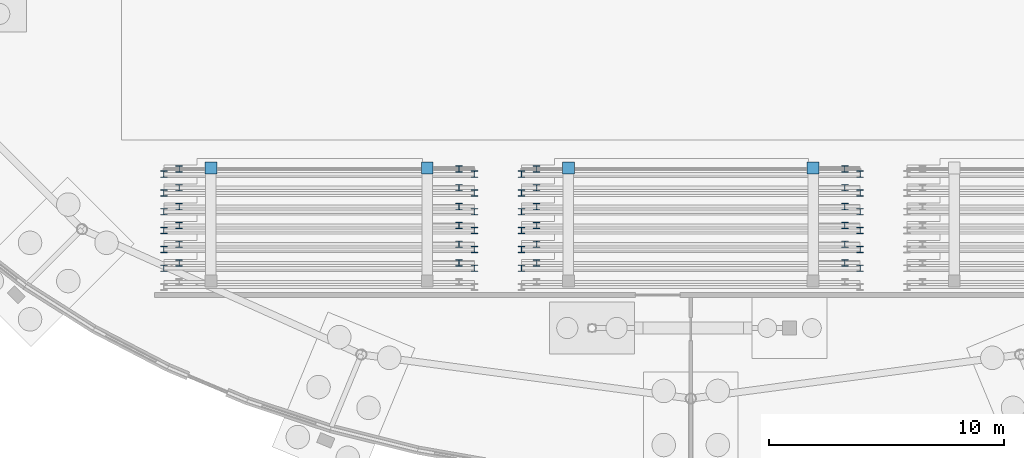
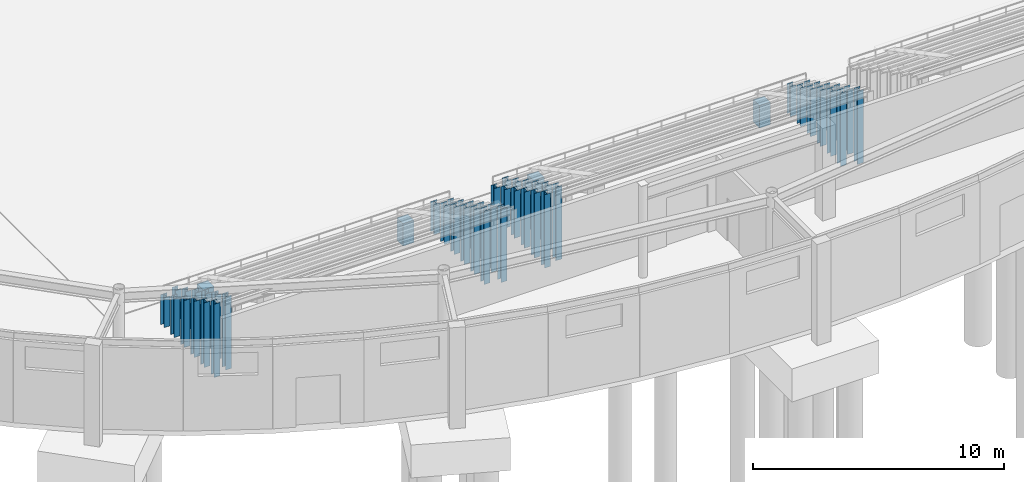
# One storey, part 12 of 93: 52 columns.
"""IFC4 building model written with IfcOpenShell, lengths in metres."""

from ifc_helpers import new_model, si_unit, derived_unit, direction, frame, origin, origin_2d, place, context, subcontext, project, spatial, rectangle, i_section, extrude, material, material_profile, profile_set, type_object, element, save


model = new_model("IFC4")

# Units and contexts
model_context = context("Model", 3, precision=1e-05, world=origin(), true_north=direction((0.0, 1.0)))
body_context = subcontext(model_context, "Body", "Model", "MODEL_VIEW")
ifc_project = project(units=[si_unit("LENGTHUNIT", "METRE"), si_unit("AREAUNIT", "SQUARE_METRE"), si_unit("VOLUMEUNIT", "CUBIC_METRE"), si_unit("PLANEANGLEUNIT", "RADIAN"), si_unit("MASSUNIT", "GRAM", prefix="KILO"), derived_unit("THERMALTRANSMITTANCEUNIT", [(si_unit("MASSUNIT", "GRAM", prefix="KILO"), 1), (si_unit("TIMEUNIT", "SECOND"), -3), (si_unit("THERMODYNAMICTEMPERATUREUNIT", "KELVIN"), -1)])], contexts=[model_context])

# Site, building, storey
site_placement = place(None, origin())
site = spatial("IfcSite", under=ifc_project, at=site_placement, CompositionType="ELEMENT")
building_placement = place(site_placement, origin())
building = spatial("IfcBuilding", under=site, at=building_placement, Name="Kharveza Railside Sports Centre", CompositionType="ELEMENT")
storey_placement = place(building_placement, origin())
storey = spatial("IfcBuildingStorey", under=building, at=storey_placement, Name="L00", CompositionType="ELEMENT", Elevation=0.0)

# Columns
ifc_material_1 = material(Name="Concrete C35/45", Category="concrete")
ifc_material_profile_1 = material_profile(ifc_material_1, rectangle(XDim=0.5, YDim=0.5, at=origin_2d()), Name="RC 500x500")
ifc_profile_set_1 = profile_set([ifc_material_profile_1], Name="Concrete C35/45")
column_type_1 = type_object("IfcColumnType", Name="COL-RC03", PredefinedType="COLUMN", material=ifc_profile_set_1)
for number, where, z_axis, x_axis, name in (
    (1, (34.199951171875, 35.60009765625, 0.0), (0.0, 0.0, 1.0), (1.0, 0.0, 0.0), "COL-RAK-SF-01"),
    (2, (43.39990234375, 35.60009765625, 0.0), (0.0, 0.0, 1.0), (1.0, 0.0, 0.0), "COL-RAK-SF-02"),
    (3, (49.39990234375, 35.60009765625, 0.0), (0.0, 0.0, 1.0), (1.0, 0.0, 0.0), "COL-RAK-SF-03"),
    (4, (59.800048828125, 35.60009765625, 0.0), (0.0, 0.0, 1.0), (1.0, 0.0, 0.0), "COL-RAK-SF-04"),
):
    element("IfcColumn", number, at=place(storey_placement, frame(where, z_axis=z_axis, x_axis=x_axis)), inside=storey, type_object=column_type_1, Name=name, PredefinedType="COLUMN", context=body_context, shape_type="SweptSolid", body=[
        extrude(rectangle(XDim=0.5, YDim=0.5, at=origin_2d()), origin(), (0.0, 0.0, 1.0), 1.090087890625),
    ])
ifc_material_2 = material(Name="Steel S355J2", Category="steel")
ifc_material_profile_2 = material_profile(ifc_material_2, i_section(OverallWidth=0.280029296875, OverallDepth=0.27001953125, WebThickness=0.008056640625, FlangeThickness=0.012939453125, FilletRadius=0.02392578125, at=origin_2d()), Name="HEA 280")
ifc_profile_set_2 = profile_set([ifc_material_profile_2], Name="Steel S355J2")
column_type_2 = type_object("IfcColumnType", Name="COL-S13", PredefinedType="COLUMN", material=ifc_profile_set_2)
for number, where, z_axis, x_axis, name in (
    (5, (32.199951171875, 31.340087890625, 0.0), (0.0, 0.0, 1.0), (1.0, 0.0, 0.0), "COL-TPST-S02-S1-11"),
    (6, (45.39990234375, 31.340087890625, 0.0), (0.0, 0.0, 1.0), (1.0, 0.0, 0.0), "COL-TPST-S02-S1-12"),
    (7, (32.85009765625, 31.56005859375, 0.0), (0.0, 0.0, 1.0), (1.0, 0.0, 0.0), "COL-TPST-S02-S1-21"),
    (8, (44.75, 31.56005859375, 0.0), (0.0, 0.0, 1.0), (1.0, 0.0, 0.0), "COL-TPST-S02-S1-22"),
    (9, (47.39990234375, 31.340087890625, 0.0), (0.0, 0.0, 1.0), (1.0, 0.0, 0.0), "COL-TPST-S02-S2-11"),
    (10, (61.800048828125, 31.340087890625, 0.0), (0.0, 0.0, 1.0), (1.0, 0.0, 0.0), "COL-TPST-S02-S2-12"),
    (11, (48.050048828125, 31.56005859375, 0.0), (0.0, 0.0, 1.0), (1.0, 0.0, 0.0), "COL-TPST-S02-S2-21"),
    (12, (61.14990234375, 31.56005859375, 0.0), (0.0, 0.0, 1.0), (1.0, 0.0, 0.0), "COL-TPST-S02-S2-22"),
):
    element("IfcColumn", number, at=place(storey_placement, frame(where, z_axis=z_axis, x_axis=x_axis)), inside=storey, type_object=column_type_2, Name=name, PredefinedType="COLUMN", context=body_context, shape_type="SweptSolid", body=[
        extrude(i_section(OverallWidth=0.280029296875, OverallDepth=0.27001953125, WebThickness=0.008056640625, FlangeThickness=0.012939453125, FilletRadius=0.02392578125, at=origin_2d()), origin(), (0.0, 0.0, 1.0), 3.570068359375),
    ])
for number, where, z_axis, x_axis, name in (
    (13, (32.199951171875, 32.139892578125, 0.0), (0.0, 0.0, 1.0), (1.0, 0.0, 0.0), "COL-TPST-S03-S1-11"),
    (14, (45.39990234375, 32.139892578125, 0.0), (0.0, 0.0, 1.0), (1.0, 0.0, 0.0), "COL-TPST-S03-S1-12"),
    (15, (32.85009765625, 32.360107421875, 0.0), (0.0, 0.0, 1.0), (1.0, 0.0, 0.0), "COL-TPST-S03-S1-21"),
    (16, (44.75, 32.360107421875, 0.0), (0.0, 0.0, 1.0), (1.0, 0.0, 0.0), "COL-TPST-S03-S1-22"),
    (17, (47.39990234375, 32.139892578125, 0.0), (0.0, 0.0, 1.0), (1.0, 0.0, 0.0), "COL-TPST-S03-S2-11"),
    (18, (61.800048828125, 32.139892578125, 0.0), (0.0, 0.0, 1.0), (1.0, 0.0, 0.0), "COL-TPST-S03-S2-12"),
    (19, (48.050048828125, 32.360107421875, 0.0), (0.0, 0.0, 1.0), (1.0, 0.0, 0.0), "COL-TPST-S03-S2-21"),
    (20, (61.14990234375, 32.360107421875, 0.0), (0.0, 0.0, 1.0), (1.0, 0.0, 0.0), "COL-TPST-S03-S2-22"),
):
    element("IfcColumn", number, at=place(storey_placement, frame(where, z_axis=z_axis, x_axis=x_axis)), inside=storey, type_object=column_type_2, Name=name, PredefinedType="COLUMN", context=body_context, shape_type="SweptSolid", body=[
        extrude(i_section(OverallWidth=0.280029296875, OverallDepth=0.27001953125, WebThickness=0.008056640625, FlangeThickness=0.012939453125, FilletRadius=0.02392578125, at=origin_2d()), origin(), (0.0, 0.0, 1.0), 3.14990234375),
    ])
for number, where, z_axis, x_axis, name in (
    (21, (32.199951171875, 32.93994140625, 0.0), (0.0, 0.0, 1.0), (1.0, 0.0, 0.0), "COL-TPST-S04-S1-11"),
    (22, (45.39990234375, 32.93994140625, 0.0), (0.0, 0.0, 1.0), (1.0, 0.0, 0.0), "COL-TPST-S04-S1-12"),
    (23, (32.85009765625, 33.159912109375, 0.0), (0.0, 0.0, 1.0), (1.0, 0.0, 0.0), "COL-TPST-S04-S1-21"),
    (24, (44.75, 33.159912109375, 0.0), (0.0, 0.0, 1.0), (1.0, 0.0, 0.0), "COL-TPST-S04-S1-22"),
    (25, (47.39990234375, 32.93994140625, 0.0), (0.0, 0.0, 1.0), (1.0, 0.0, 0.0), "COL-TPST-S04-S2-11"),
    (26, (61.800048828125, 32.93994140625, 0.0), (0.0, 0.0, 1.0), (1.0, 0.0, 0.0), "COL-TPST-S04-S2-12"),
    (27, (48.050048828125, 33.159912109375, 0.0), (0.0, 0.0, 1.0), (1.0, 0.0, 0.0), "COL-TPST-S04-S2-21"),
    (28, (61.14990234375, 33.159912109375, 0.0), (0.0, 0.0, 1.0), (1.0, 0.0, 0.0), "COL-TPST-S04-S2-22"),
):
    element("IfcColumn", number, at=place(storey_placement, frame(where, z_axis=z_axis, x_axis=x_axis)), inside=storey, type_object=column_type_2, Name=name, PredefinedType="COLUMN", context=body_context, shape_type="SweptSolid", body=[
        extrude(i_section(OverallWidth=0.280029296875, OverallDepth=0.27001953125, WebThickness=0.008056640625, FlangeThickness=0.012939453125, FilletRadius=0.02392578125, at=origin_2d()), origin(), (0.0, 0.0, 1.0), 2.72998046875),
    ])
for number, where, z_axis, x_axis, name in (
    (29, (32.199951171875, 33.739990234375, 0.0), (0.0, 0.0, 1.0), (1.0, 0.0, 0.0), "COL-TPST-S05-S1-11"),
    (30, (45.39990234375, 33.739990234375, 0.0), (0.0, 0.0, 1.0), (1.0, 0.0, 0.0), "COL-TPST-S05-S1-12"),
    (31, (32.85009765625, 33.9599609375, 0.0), (0.0, 0.0, 1.0), (1.0, 0.0, 0.0), "COL-TPST-S05-S1-21"),
    (32, (44.75, 33.9599609375, 0.0), (0.0, 0.0, 1.0), (1.0, 0.0, 0.0), "COL-TPST-S05-S1-22"),
    (33, (47.39990234375, 33.739990234375, 0.0), (0.0, 0.0, 1.0), (1.0, 0.0, 0.0), "COL-TPST-S05-S2-11"),
    (34, (61.800048828125, 33.739990234375, 0.0), (0.0, 0.0, 1.0), (1.0, 0.0, 0.0), "COL-TPST-S05-S2-12"),
    (35, (48.050048828125, 33.9599609375, 0.0), (0.0, 0.0, 1.0), (1.0, 0.0, 0.0), "COL-TPST-S05-S2-21"),
    (36, (61.14990234375, 33.9599609375, 0.0), (0.0, 0.0, 1.0), (1.0, 0.0, 0.0), "COL-TPST-S05-S2-22"),
):
    element("IfcColumn", number, at=place(storey_placement, frame(where, z_axis=z_axis, x_axis=x_axis)), inside=storey, type_object=column_type_2, Name=name, PredefinedType="COLUMN", context=body_context, shape_type="SweptSolid", body=[
        extrude(i_section(OverallWidth=0.280029296875, OverallDepth=0.27001953125, WebThickness=0.008056640625, FlangeThickness=0.012939453125, FilletRadius=0.02392578125, at=origin_2d()), origin(), (0.0, 0.0, 1.0), 2.2919921875),
    ])
for number, where, z_axis, x_axis, name in (
    (37, (32.199951171875, 34.5400390625, 0.0), (0.0, 0.0, 1.0), (1.0, 0.0, 0.0), "COL-TPST-S06-S1-11"),
    (38, (45.39990234375, 34.5400390625, 0.0), (0.0, 0.0, 1.0), (1.0, 0.0, 0.0), "COL-TPST-S06-S1-12"),
    (39, (32.85009765625, 34.760009765625, 0.0), (0.0, 0.0, 1.0), (1.0, 0.0, 0.0), "COL-TPST-S06-S1-21"),
    (40, (44.75, 34.760009765625, 0.0), (0.0, 0.0, 1.0), (1.0, 0.0, 0.0), "COL-TPST-S06-S1-22"),
    (41, (47.39990234375, 34.5400390625, 0.0), (0.0, 0.0, 1.0), (1.0, 0.0, 0.0), "COL-TPST-S06-S2-11"),
    (42, (61.800048828125, 34.5400390625, 0.0), (0.0, 0.0, 1.0), (1.0, 0.0, 0.0), "COL-TPST-S06-S2-12"),
    (43, (48.050048828125, 34.760009765625, 0.0), (0.0, 0.0, 1.0), (1.0, 0.0, 0.0), "COL-TPST-S06-S2-21"),
    (44, (61.14990234375, 34.760009765625, 0.0), (0.0, 0.0, 1.0), (1.0, 0.0, 0.0), "COL-TPST-S06-S2-22"),
):
    element("IfcColumn", number, at=place(storey_placement, frame(where, z_axis=z_axis, x_axis=x_axis)), inside=storey, type_object=column_type_2, Name=name, PredefinedType="COLUMN", context=body_context, shape_type="SweptSolid", body=[
        extrude(i_section(OverallWidth=0.280029296875, OverallDepth=0.27001953125, WebThickness=0.008056640625, FlangeThickness=0.012939453125, FilletRadius=0.02392578125, at=origin_2d()), origin(), (0.0, 0.0, 1.0), 1.8720703125),
    ])
for number, where, z_axis, x_axis, name in (
    (45, (32.199951171875, 35.340087890625, 0.0), (0.0, 0.0, 1.0), (1.0, 0.0, 0.0), "COL-TPST-S07-S1-11"),
    (46, (45.39990234375, 35.340087890625, 0.0), (0.0, 0.0, 1.0), (1.0, 0.0, 0.0), "COL-TPST-S07-S1-12"),
    (47, (32.85009765625, 35.56005859375, 0.0), (0.0, 0.0, 1.0), (1.0, 0.0, 0.0), "COL-TPST-S07-S1-21"),
    (48, (44.75, 35.56005859375, 0.0), (0.0, 0.0, 1.0), (1.0, 0.0, 0.0), "COL-TPST-S07-S1-22"),
    (49, (47.39990234375, 35.340087890625, 0.0), (0.0, 0.0, 1.0), (1.0, 0.0, 0.0), "COL-TPST-S07-S2-11"),
    (50, (61.800048828125, 35.340087890625, 0.0), (0.0, 0.0, 1.0), (1.0, 0.0, 0.0), "COL-TPST-S07-S2-12"),
    (51, (48.050048828125, 35.56005859375, 0.0), (0.0, 0.0, 1.0), (1.0, 0.0, 0.0), "COL-TPST-S07-S2-21"),
    (52, (61.14990234375, 35.56005859375, 0.0), (0.0, 0.0, 1.0), (1.0, 0.0, 0.0), "COL-TPST-S07-S2-22"),
):
    element("IfcColumn", number, at=place(storey_placement, frame(where, z_axis=z_axis, x_axis=x_axis)), inside=storey, type_object=column_type_2, Name=name, PredefinedType="COLUMN", context=body_context, shape_type="SweptSolid", body=[
        extrude(i_section(OverallWidth=0.280029296875, OverallDepth=0.27001953125, WebThickness=0.008056640625, FlangeThickness=0.012939453125, FilletRadius=0.02392578125, at=origin_2d()), origin(), (0.0, 0.0, 1.0), 1.451904296875),
    ])

save(model, "model.ifc")
